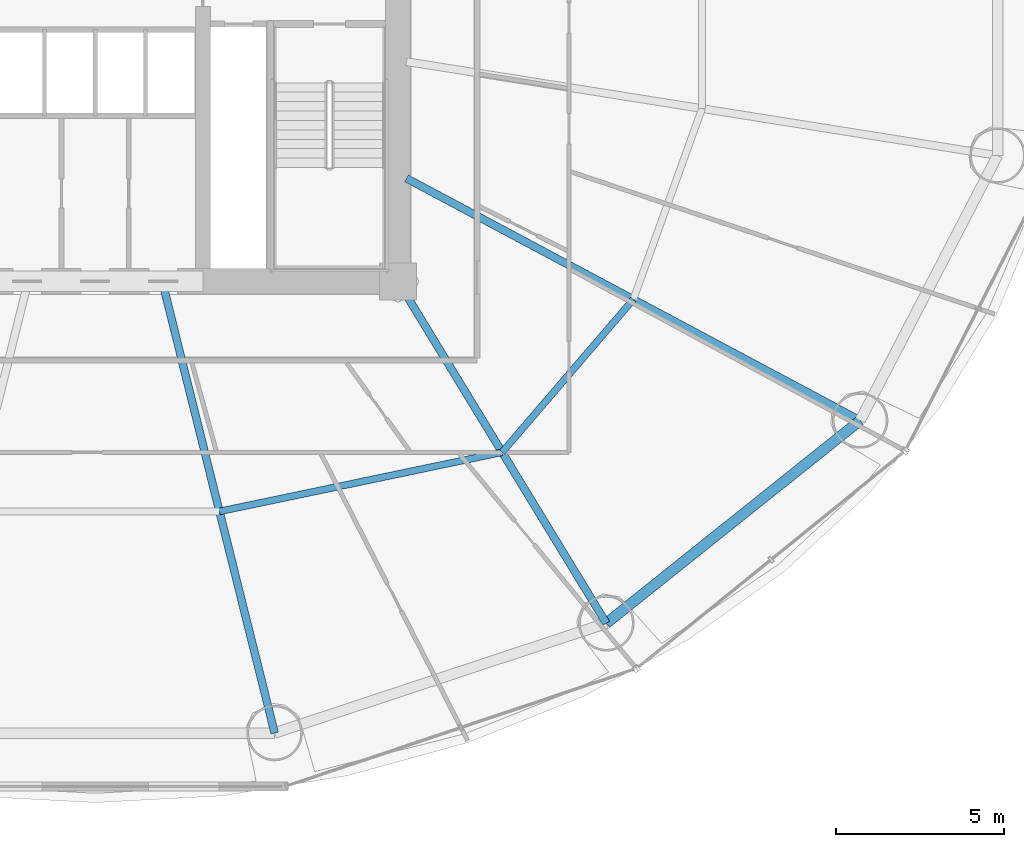
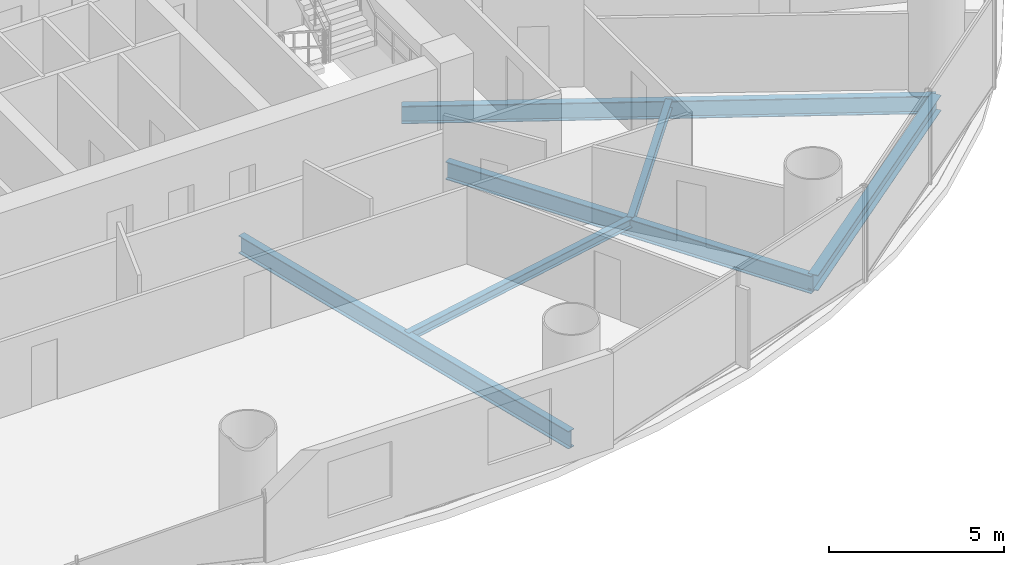
# One storey, part 9 of 28: 6 beams.
"""IFC4 building model written with IfcOpenShell, lengths in metres."""

from ifc_helpers import new_model, si_unit, direction, frame, origin, origin_2d, place, context, subcontext, project, spatial, i_section, extrude, material, material_profile, profile_set, type_object, element, save


model = new_model("IFC4")

# Units and contexts
model_context = context("Model", 3, precision=1e-05, world=origin(), true_north=direction((-0.2419218956, 0.970295726276)))
body_context = subcontext(model_context, "Body", "Model", "MODEL_VIEW")
ifc_project = project(units=[si_unit("LENGTHUNIT", "METRE"), si_unit("AREAUNIT", "SQUARE_METRE"), si_unit("VOLUMEUNIT", "CUBIC_METRE"), si_unit("PLANEANGLEUNIT", "RADIAN"), si_unit("MASSUNIT", "GRAM", prefix="KILO")], contexts=[model_context])

# Site, building, storey
site_placement = place(None, origin())
site = spatial("IfcSite", under=ifc_project, at=site_placement, CompositionType="ELEMENT")
building_placement = place(site_placement, origin())
building = spatial("IfcBuilding", under=site, at=building_placement, Name="Cobrevalo Terracotta Tower", CompositionType="ELEMENT")
storey_placement = place(building_placement, frame((0.0, 0.0, 34.800048828125)))
storey = spatial("IfcBuildingStorey", under=building, at=storey_placement, Name="L08", CompositionType="ELEMENT", Elevation=34.800048828125)

# Beams
ifc_material = material(Name="Steel S355", Category="steel")
ifc_material_profile_1 = material_profile(ifc_material, i_section(OverallWidth=0.22998046875, OverallDepth=0.616943359375, WebThickness=0.01318359375, FlangeThickness=0.022216796875, at=origin_2d()), Name="W 610x140")
ifc_profile_set_1 = profile_set([ifc_material_profile_1], Name="Steel S355")
beam_type_1 = type_object("IfcBeamType", Name="Structural Beam W 610x140 (Steel S355)", PredefinedType="BEAM", material=ifc_profile_set_1)
beam_1_placement = place(storey_placement, frame((43.335693359375, 5.369873046875, -0.588623046875), z_axis=(-0.241600470374, 0.970375810042, 0.0), x_axis=(-0.970375810042, -0.241600470374, 0.0)))
element("IfcBeam", 1, at=beam_1_placement, inside=storey, type_object=beam_type_1, Name="L08 radial floor girder 13", PredefinedType="BEAM", context=body_context, shape_type="SweptSolid", body=[
    extrude(i_section(OverallWidth=0.22998046875, OverallDepth=0.616943359375, WebThickness=0.01318359375, FlangeThickness=0.022216796875, at=origin_2d()), origin(), (0.0, 0.0, 1.0), 13.5771484375),
])
beam_2_placement = place(storey_placement, frame((53.19482421875, 8.63232421875, -0.588623046875), z_axis=(-0.520300780853, 0.853983077961, 0.0), x_axis=(-0.853983077961, -0.520300780853, 0.0)))
element("IfcBeam", 2, at=beam_2_placement, inside=storey, type_object=beam_type_1, Name="L08 radial floor girder 14", PredefinedType="BEAM", context=body_context, shape_type="SweptSolid", body=[
    extrude(i_section(OverallWidth=0.22998046875, OverallDepth=0.616943359375, WebThickness=0.01318359375, FlangeThickness=0.022216796875, at=origin_2d()), origin(), (0.0, 0.0, 1.0), 11.90625),
])
beam_3_placement = place(storey_placement, frame((60.74072265625, 14.660888671875, -0.588623046875), z_axis=(-0.88218223571, 0.470908168329, 0.0), x_axis=(-0.470908168329, -0.88218223571, 0.0)))
element("IfcBeam", 3, at=beam_3_placement, inside=storey, type_object=beam_type_1, Name="L08 radial floor girder 15", PredefinedType="BEAM", context=body_context, shape_type="SweptSolid", body=[
    extrude(i_section(OverallWidth=0.22998046875, OverallDepth=0.616943359375, WebThickness=0.01318359375, FlangeThickness=0.022216796875, at=origin_2d()), origin(), (0.0, 0.0, 1.0), 15.286865234375),
])
ifc_material_profile_2 = material_profile(ifc_material, i_section(OverallWidth=0.2041015625, OverallDepth=0.305908203125, WebThickness=0.008544921875, FlangeThickness=0.0146484375, at=origin_2d()), Name="W 310x67")
ifc_profile_set_2 = profile_set([ifc_material_profile_2], Name="Steel S355")
beam_type_2 = type_object("IfcBeamType", Name="Structural Joist W 310x67 (Steel S355)", PredefinedType="JOIST", material=ifc_profile_set_2)
beam_4_placement = place(storey_placement, frame((41.695556640625, 11.95751953125, -0.43310546875), z_axis=(0.978784523904, 0.204892302848, 0.0), x_axis=(-0.204892302848, 0.978784523904, 0.0)))
element("IfcBeam", 4, at=beam_4_placement, inside=storey, type_object=beam_type_2, Name="L08 circumferential secondary floor joist 13", PredefinedType="JOIST", context=body_context, shape_type="SweptSolid", body=[
    extrude(i_section(OverallWidth=0.2041015625, OverallDepth=0.305908203125, WebThickness=0.008544921875, FlangeThickness=0.0146484375, at=origin_2d()), origin(), (0.0, 0.0, 1.0), 8.583984375),
])
beam_5_placement = place(storey_placement, frame((50.097412109375, 13.71630859375, -0.43310546875), z_axis=(0.651328404454, 0.758795960421, 0.0), x_axis=(-0.758795960421, 0.651328404454, 0.0)))
element("IfcBeam", 5, at=beam_5_placement, inside=storey, type_object=beam_type_2, Name="L08 circumferential secondary floor joist 14", PredefinedType="JOIST", context=body_context, shape_type="SweptSolid", body=[
    extrude(i_section(OverallWidth=0.2041015625, OverallDepth=0.305908203125, WebThickness=0.008544921875, FlangeThickness=0.0146484375, at=origin_2d()), origin(), (0.0, 0.0, 1.0), 5.98828125),
])
ifc_material_profile_3 = material_profile(ifc_material, i_section(OverallWidth=0.31201171875, OverallDepth=0.54296875, WebThickness=0.0126953125, FlangeThickness=0.020263671875, at=origin_2d()), Name="W 530x150")
ifc_profile_set_3 = profile_set([ifc_material_profile_3], Name="Steel S355")
beam_type_3 = type_object("IfcBeamType", Name="Structural Spandrel W 530x150 (Steel S355)", PredefinedType="SPANDREL", material=ifc_profile_set_3)
beam_6_placement = place(storey_placement, frame((53.19482421875, 8.63232421875, -0.551513671875), z_axis=(0.781280479891, 0.62418011162, 0.0), x_axis=(-0.62418011162, 0.781280479891, 0.0)))
element("IfcBeam", 6, at=beam_6_placement, inside=storey, type_object=beam_type_3, Name="L08 perimeter ring spandrel 14", PredefinedType="SPANDREL", context=body_context, shape_type="SweptSolid", body=[
    extrude(i_section(OverallWidth=0.31201171875, OverallDepth=0.54296875, WebThickness=0.0126953125, FlangeThickness=0.020263671875, at=origin_2d()), origin(), (0.0, 0.0, 1.0), 9.658447265625),
])

save(model, "model.ifc")
